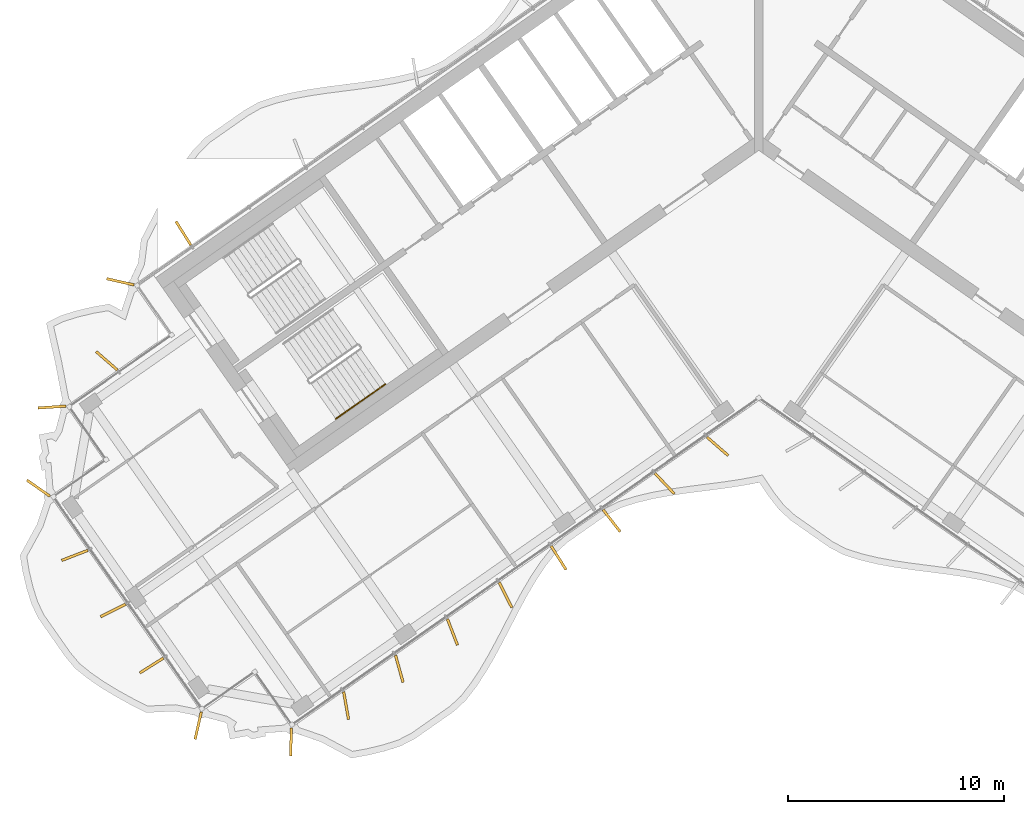
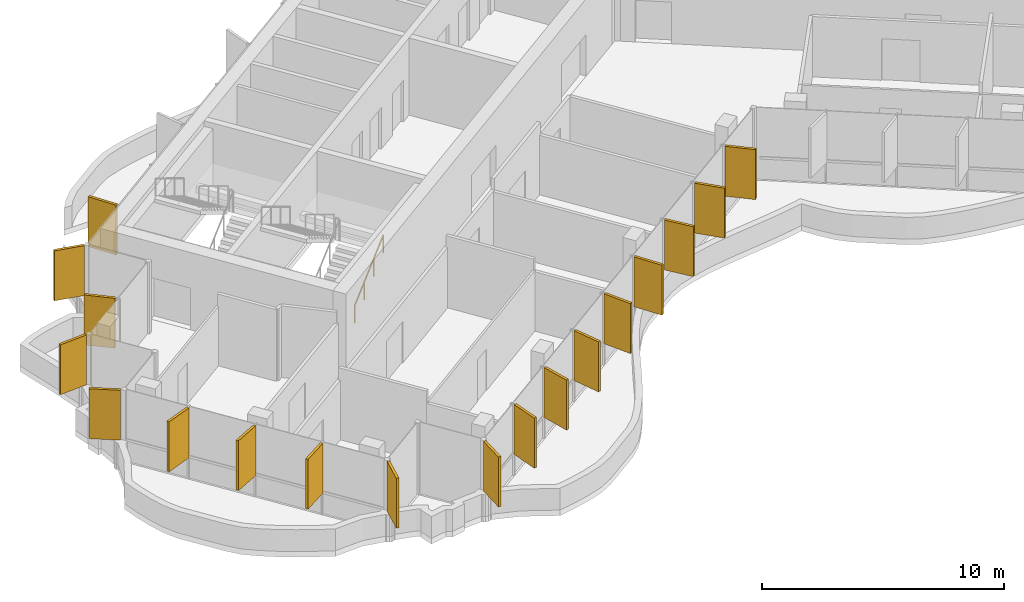
# One storey, part 16 of 20: 18 shading devices, 1 railing.
"""IFC4 building model written with IfcOpenShell, lengths in metres."""

from ifc_helpers import new_model, si_unit, direction, frame, origin, origin_2d, place, context, subcontext, project, spatial, rectangle, circle, extrude, material, layer, layer_set, type_object, element, save


model = new_model("IFC4")

# Units and contexts
model_context = context("Model", 3, precision=1e-05, world=origin(), true_north=direction((0.0, 1.0)))
body_context = subcontext(model_context, "Body", "Model", "MODEL_VIEW")
ifc_project = project(units=[si_unit("LENGTHUNIT", "METRE"), si_unit("AREAUNIT", "SQUARE_METRE"), si_unit("VOLUMEUNIT", "CUBIC_METRE"), si_unit("PLANEANGLEUNIT", "RADIAN"), si_unit("MASSUNIT", "GRAM", prefix="KILO")], contexts=[model_context])

# Site, building, storey
site_placement = place(None, origin())
site = spatial("IfcSite", under=ifc_project, at=site_placement, CompositionType="ELEMENT")
building_placement = place(site_placement, origin())
building = spatial("IfcBuilding", under=site, at=building_placement, Name="Tel Ilan Convention Tower", CompositionType="ELEMENT")
storey_placement = place(building_placement, frame((0.0, 0.0, 237.10009765625)))
storey = spatial("IfcBuildingStorey", under=building, at=storey_placement, Name="L55", CompositionType="ELEMENT", Elevation=237.10009765625)

# Shading devices
ifc_material_1 = material(Name="Aluminium, bronze anodised", Category="aluminium")
ifc_layer = layer(ifc_material_1, 0.1201171875)
ifc_layer_set = layer_set([ifc_layer], Name="FIN BRONZE 1300x120")
shading_device_type = type_object("IfcShadingDeviceType", Name="FIN BRONZE 1300x120", PredefinedType="USERDEFINED", material=ifc_layer_set)
for number, where, z_axis, x_axis, name in (
    (1, (-26.674072265625, -5.063720703125, 1.099853515625), (0.0, 0.0, 1.0), (-0.533204432798, 0.845986425922, 0.0), "FIN"),
    (2, (-29.594970703125, -7.31494140625, 1.099853515625), (0.0, 0.0, 1.0), (-0.975235208752, 0.221170268371, 0.0), "FIN"),
    (3, (-30.22607421875, -10.977294921875, 1.099853515625), (0.0, 0.0, 1.0), (-0.753435896329, 0.657521368568, 0.0), "FIN"),
    (4, (-32.76611328125, -13.12109375, 1.099853515625), (0.0, 0.0, 1.0), (-0.997697449973, -0.067821812994, 0.0), "FIN"),
    (5, (-33.3974609375, -16.88037109375, 1.099853515625), (0.0, 0.0, 1.0), (-0.819152044289, 0.573576436351, 0.0), "FIN"),
    (6, (-31.708984375, -19.998046875, 1.099853515625), (0.0, 0.0, 1.0), (-0.932883704733, -0.360177724803, 0.0), "FIN"),
    (7, (-29.929443359375, -22.55078125, 1.099853515625), (0.0, 0.0, 1.0), (-0.893632640321, -0.448799180206, 0.0), "FIN"),
    (8, (-28.144287109375, -25.100830078125, 1.099853515625), (0.0, 0.0, 1.0), (-0.845986425922, -0.533204432798, 0.0), "FIN"),
    (9, (-25.987060546875, -27.887451171875, 1.099853515625), (0.0, 0.0, 1.0), (-0.221170268371, -0.975235208752, 0.0), "FIN"),
    (10, (-21.68505859375, -28.645751953125, 1.099853515625), (0.0, 0.0, 1.0), (-0.029084718749, -0.999576950082, 0.0), "FIN"),
    (11, (-19.13037109375, -26.962890625, 1.099853515625), (0.0, 0.0, 1.0), (0.173648177667, -0.984807753012, 0.0), "FIN"),
    (12, (-16.664794921875, -25.259033203125, 1.099853515625), (0.0, 0.0, 1.0), (0.268172612768, -0.963370878614, 0.0), "FIN"),
    (13, (-14.201171875, -23.549072265625, 1.099853515625), (0.0, 0.0, 1.0), (0.360177724803, -0.932883704733, 0.0), "FIN"),
    (14, (-11.739501953125, -21.83349609375, 1.099853515625), (0.0, 0.0, 1.0), (0.448799180206, -0.893632640321, 0.0), "FIN"),
    (15, (-9.28076171875, -20.112060546875, 1.099853515625), (0.0, 0.0, 1.0), (0.533204432798, -0.845986425922, 0.0), "FIN"),
    (16, (-6.822021484375, -18.390380859375, 1.099853515625), (0.0, 0.0, 1.0), (0.612600545196, -0.790392669516, 0.0), "FIN"),
    (17, (-4.363525390625, -16.668701171875, 1.099853515625), (0.0, 0.0, 1.0), (0.686241637865, -0.727373641577, 0.0), "FIN"),
    (18, (-1.909423828125, -14.9423828125, 1.099853515625), (0.0, 0.0, 1.0), (0.753435896329, -0.657521368568, 0.0), "FIN"),
):
    element("IfcShadingDevice", number, at=place(storey_placement, frame(where, z_axis=z_axis, x_axis=x_axis)), inside=storey, type_object=shading_device_type, Name=name, ObjectType="FIN", PredefinedType="USERDEFINED", context=body_context, shape_type="SweptSolid", body=[
        extrude(rectangle(XDim=1.300048828125, YDim=0.1201171875, at=origin_2d()), origin(), (0.0, 0.0, 1.0), 2.52001953125),
    ])

# Railing
ifc_material_2 = material(Name="Stainless Steel Grade 316", Category="steel")
railing_type = type_object("IfcRailingType", Name="Stainless Steel Stair Handrail 900 mm", PredefinedType="HANDRAIL", material=ifc_material_2)
railing_placement = place(storey_placement, frame((-19.6064453125, -13.66748046875, 0.17724609375)))
element("IfcRailing", 19, at=railing_placement, inside=storey, type_object=railing_type, Name="L55 S2 stair handrail 1", PredefinedType="HANDRAIL", context=body_context, shape_type="SweptSolid", body=[
    extrude(circle(Radius=0.02392578125, at=origin_2d()), frame((0.0, 0.0, 0.8759765625), z_axis=(0.692123088272, 0.484596665743, 0.534912798717), x_axis=(-0.573550118428, 0.819170471667, 0.0)), (0.0, 0.0, 1.0), 3.31396484375),
    extrude(circle(Radius=0.02099609375, at=origin_2d()), origin(), (0.0, 0.0, 1.0), 0.851806640625),
    extrude(circle(Radius=0.02099609375, at=origin_2d()), frame((0.7646484375, 0.535400390625, 0.5908203125)), (0.0, 0.0, 1.0), 0.851806640625),
    extrude(circle(Radius=0.02099609375, at=origin_2d()), frame((1.529052734375, 1.070556640625, 1.181884765625)), (0.0, 0.0, 1.0), 0.851806640625),
    extrude(circle(Radius=0.02099609375, at=origin_2d()), frame((2.293701171875, 1.60595703125, 1.772705078125)), (0.0, 0.0, 1.0), 0.851806640625),
])

save(model, "model.ifc")
